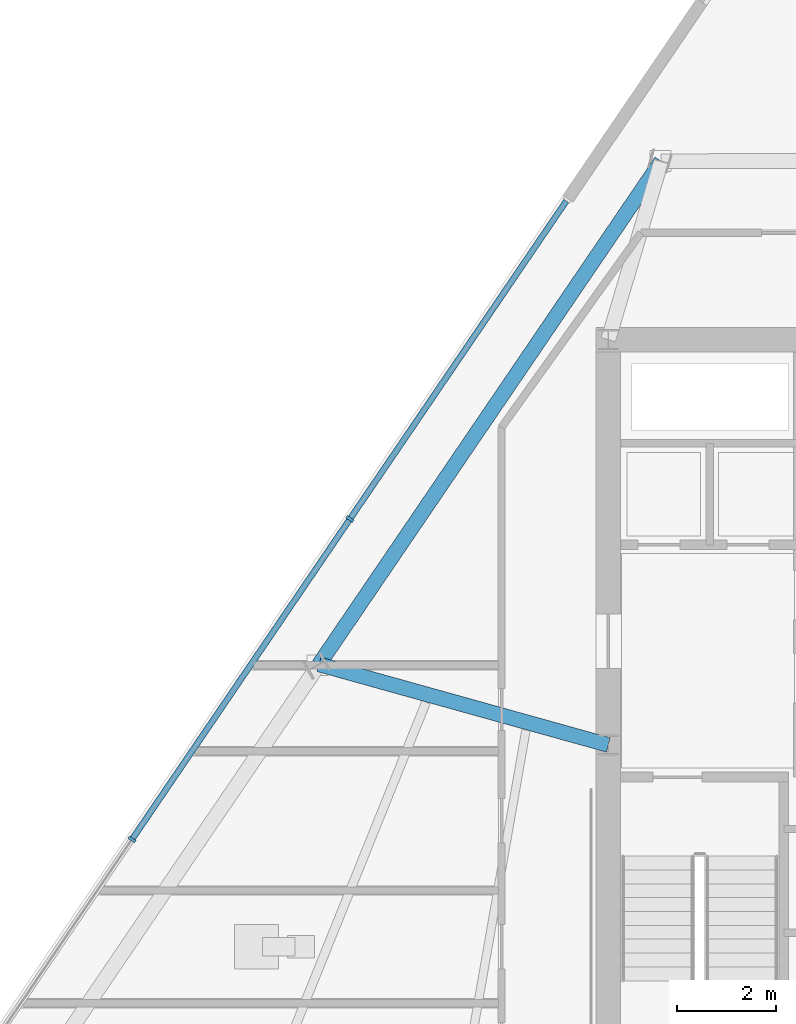
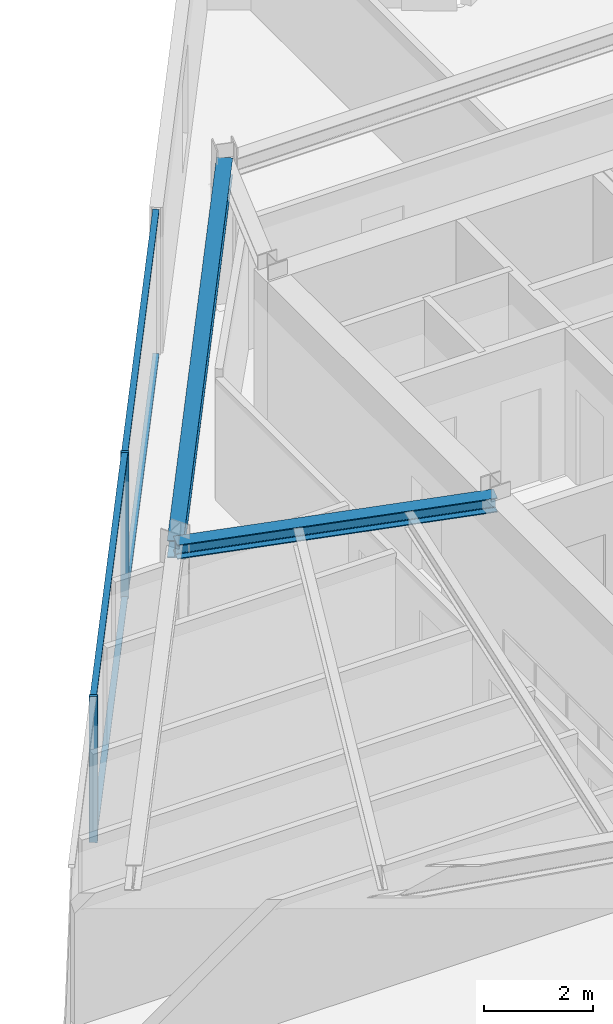
# One storey, part 4 of 14: 6 members, 2 beams, 1 element without a shape of its own.
"""IFC4 building model written with IfcOpenShell, lengths in metres."""

from ifc_helpers import new_model, si_unit, direction, frame, origin, origin_2d, place, context, subcontext, project, spatial, rectangle, i_section, extrude, material, material_profile, profile_set, type_object, element, aggregate, save


model = new_model("IFC4")

# Units and contexts
model_context = context("Model", 3, precision=1e-05, world=origin(), true_north=direction((0.0, 1.0)))
body_context = subcontext(model_context, "Body", "Model", "MODEL_VIEW")
ifc_project = project(units=[si_unit("LENGTHUNIT", "METRE"), si_unit("AREAUNIT", "SQUARE_METRE"), si_unit("VOLUMEUNIT", "CUBIC_METRE"), si_unit("PLANEANGLEUNIT", "RADIAN"), si_unit("MASSUNIT", "GRAM", prefix="KILO")], contexts=[model_context])

# Site, building, storey
site_placement = place(None, origin())
site = spatial("IfcSite", under=ifc_project, at=site_placement, CompositionType="ELEMENT")
building_placement = place(site_placement, origin())
building = spatial("IfcBuilding", under=site, at=building_placement, Name="Savorim Split Tower", CompositionType="ELEMENT")
storey_placement = place(building_placement, frame((0.0, 0.0, 181.800048828125)))
storey = spatial("IfcBuildingStorey", under=building, at=storey_placement, Name="L48", CompositionType="ELEMENT", Elevation=181.800048828125)

# Beams
ifc_material_1 = material(Name="Steel S355", Category="steel")
ifc_material_profile_1 = material_profile(ifc_material_1, i_section(OverallWidth=0.300048828125, OverallDepth=0.320068359375, WebThickness=0.011474609375, FlangeThickness=0.0205078125, FilletRadius=0.027099609375, at=origin_2d()), Name="HEB 320")
ifc_profile_set_1 = profile_set([ifc_material_profile_1], Name="Steel S355")
beam_type_1 = type_object("IfcBeamType", Name="BM-PRI-HEB320", PredefinedType="BEAM", material=ifc_profile_set_1)
beam_1_placement = place(storey_placement, frame((-13.552490234375, 3.630859375, 3.119873046875), z_axis=(0.963298819184, -0.268431341238, 0.0), x_axis=(0.268431341238, 0.963298819184, 0.0)))
element("IfcBeam", 1, at=beam_1_placement, inside=storey, type_object=beam_type_1, Name="L48 Primary Floor Girder RG-09", PredefinedType="BEAM", context=body_context, shape_type="SweptSolid", body=[
    extrude(i_section(OverallWidth=0.300048828125, OverallDepth=0.320068359375, WebThickness=0.011474609375, FlangeThickness=0.0205078125, FilletRadius=0.027099609375, at=origin_2d()), origin(), (0.0, 0.0, 1.0), 6.075439453125),
])
ifc_material_profile_2 = material_profile(ifc_material_1, i_section(OverallWidth=0.300048828125, OverallDepth=0.389892578125, WebThickness=0.010986328125, FlangeThickness=0.01904296875, FilletRadius=0.027099609375, at=origin_2d()), Name="HEA 400")
ifc_profile_set_2 = profile_set([ifc_material_profile_2], Name="Steel S355")
beam_type_2 = type_object("IfcBeamType", Name="BM-SPN-HEA400", PredefinedType="SPANDREL", material=ifc_profile_set_2)
beam_2_placement = place(storey_placement, frame((-6.62939453125, 13.807861328125, 3.0849609375), z_axis=(-0.562461921333, -0.826823189715, 0.0), x_axis=(0.826823189715, -0.562461921333, 0.0)))
element("IfcBeam", 2, at=beam_2_placement, inside=storey, type_object=beam_type_2, Name="L48 Perimeter Spandrel Beam 8", PredefinedType="SPANDREL", context=body_context, shape_type="SweptSolid", body=[
    extrude(i_section(OverallWidth=0.300048828125, OverallDepth=0.389892578125, WebThickness=0.010986328125, FlangeThickness=0.01904296875, FilletRadius=0.027099609375, at=origin_2d()), origin(), (0.0, 0.0, 1.0), 12.30859375),
])

# Curtain wall, members
ifc_material_2 = material(Name="Dark Ceramic-Fritted Insulated Glass", Category="glass")
curtain_wall_type = type_object("IfcCurtainWallType", Name="CW-TWR-FRIT-B", PredefinedType="NOTDEFINED", material=ifc_material_2)
curtain_wall_placement = place(storey_placement, origin())
curtain_wall = element("IfcCurtainWall", 3, at=curtain_wall_placement, inside=storey, type_object=curtain_wall_type, Name="L48 Curtain Wall CW-L48-WEST", PredefinedType="NOTDEFINED")
ifc_material_3 = material(Name="Charcoal Anodised Aluminium", Category="aluminium")
ifc_material_profile_3 = material_profile(ifc_material_3, rectangle(XDim=0.159912109375, YDim=0.06005859375, at=origin_2d()), Name="ALU-M 160x60")
ifc_profile_set_3 = profile_set([ifc_material_profile_3], Name="Charcoal Anodised Aluminium")
member_type_1 = type_object("IfcMemberType", Name="CWM-160x60", PredefinedType="MULLION", material=ifc_profile_set_3)
member_1_placement = place(storey_placement, frame((-12.926513671875, 6.571533203125, 0.0), z_axis=(0.0, 0.0, 1.0), x_axis=(0.826819248854, -0.562467714384, 0.0)))
member_1 = element("IfcMember", 4, at=member_1_placement, type_object=member_type_1, Name="CW-03 mullion 2", PredefinedType="MULLION", context=body_context, shape_type="SweptSolid", body=[
    extrude(rectangle(XDim=0.159912109375, YDim=0.06005859375, at=origin_2d()), origin(), (0.0, 0.0, 1.0), 3.280029296875),
])
member_2_placement = place(storey_placement, frame((-17.336181640625, 0.089599609375, 0.0), z_axis=(0.0, 0.0, 1.0), x_axis=(0.826819248854, -0.562467714384, 0.0)))
member_2 = element("IfcMember", 5, at=member_2_placement, type_object=member_type_1, Name="CW-03 mullion 3", PredefinedType="MULLION", context=body_context, shape_type="SweptSolid", body=[
    extrude(rectangle(XDim=0.159912109375, YDim=0.06005859375, at=origin_2d()), origin(), (0.0, 0.0, 1.0), 3.280029296875),
])
ifc_material_profile_4 = material_profile(ifc_material_3, rectangle(XDim=0.1201171875, YDim=0.050048828125, at=origin_2d()), Name="ALU-T 120x50")
ifc_profile_set_4 = profile_set([ifc_material_profile_4], Name="Charcoal Anodised Aluminium")
member_type_2 = type_object("IfcMemberType", Name="CWT-120x50", PredefinedType="USERDEFINED", material=ifc_profile_set_4)
member_3_placement = place(storey_placement, frame((-8.55078125, 13.00390625, 0.02490234375), z_axis=(-0.56245477499, -0.826828051103, 0.0), x_axis=(0.826828051103, -0.56245477499, 0.0)))
member_3 = element("IfcMember", 6, at=member_3_placement, type_object=member_type_2, Name="CW-03 transom 1.1", ObjectType="TRANSOM", PredefinedType="USERDEFINED", context=body_context, shape_type="SweptSolid", body=[
    extrude(rectangle(XDim=0.1201171875, YDim=0.050048828125, at=origin_2d()), origin(), (0.0, 0.0, 1.0), 7.749755859375),
])
member_4_placement = place(storey_placement, frame((-8.55078125, 13.00390625, 3.2548828125), z_axis=(-0.56245477499, -0.826828051103, 0.0), x_axis=(0.826828051103, -0.56245477499, 0.0)))
member_4 = element("IfcMember", 7, at=member_4_placement, type_object=member_type_2, Name="CW-03 transom 1.2", ObjectType="TRANSOM", PredefinedType="USERDEFINED", context=body_context, shape_type="SweptSolid", body=[
    extrude(rectangle(XDim=0.1201171875, YDim=0.050048828125, at=origin_2d()), origin(), (0.0, 0.0, 1.0), 7.749755859375),
])
member_5_placement = place(storey_placement, frame((-12.943359375, 6.546630859375, 0.02490234375), z_axis=(-0.562497133678, -0.826799234763, 0.0), x_axis=(0.826799234763, -0.562497133678, 0.0)))
member_5 = element("IfcMember", 8, at=member_5_placement, type_object=member_type_2, Name="CW-03 transom 2.1", ObjectType="TRANSOM", PredefinedType="USERDEFINED", context=body_context, shape_type="SweptSolid", body=[
    extrude(rectangle(XDim=0.1201171875, YDim=0.050048828125, at=origin_2d()), origin(), (0.0, 0.0, 1.0), 7.779541015625),
])
member_6_placement = place(storey_placement, frame((-12.943359375, 6.546630859375, 3.2548828125), z_axis=(-0.562497133678, -0.826799234763, 0.0), x_axis=(0.826799234763, -0.562497133678, 0.0)))
member_6 = element("IfcMember", 9, at=member_6_placement, type_object=member_type_2, Name="CW-03 transom 2.2", ObjectType="TRANSOM", PredefinedType="USERDEFINED", context=body_context, shape_type="SweptSolid", body=[
    extrude(rectangle(XDim=0.1201171875, YDim=0.050048828125, at=origin_2d()), origin(), (0.0, 0.0, 1.0), 7.779541015625),
])
aggregate(curtain_wall, [member_1, member_2, member_3, member_4, member_5, member_6])

save(model, "model.ifc")
